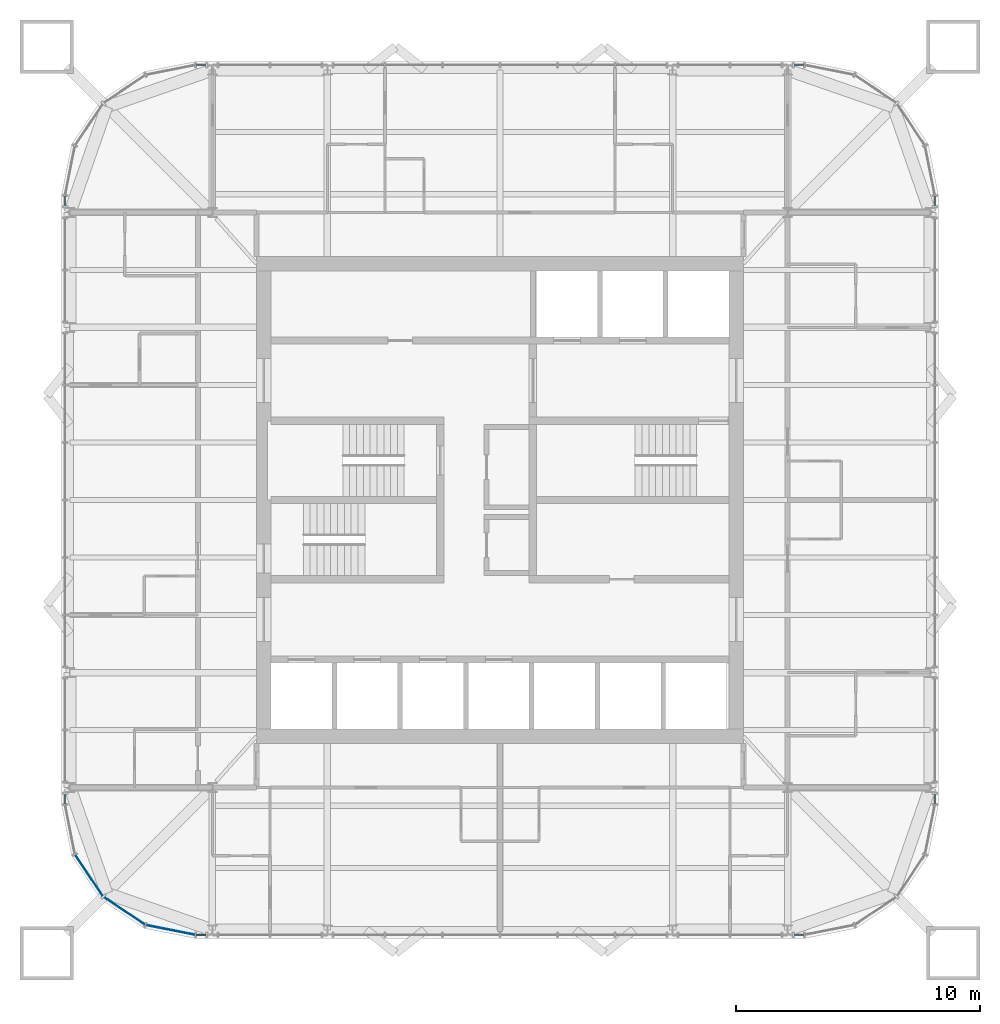
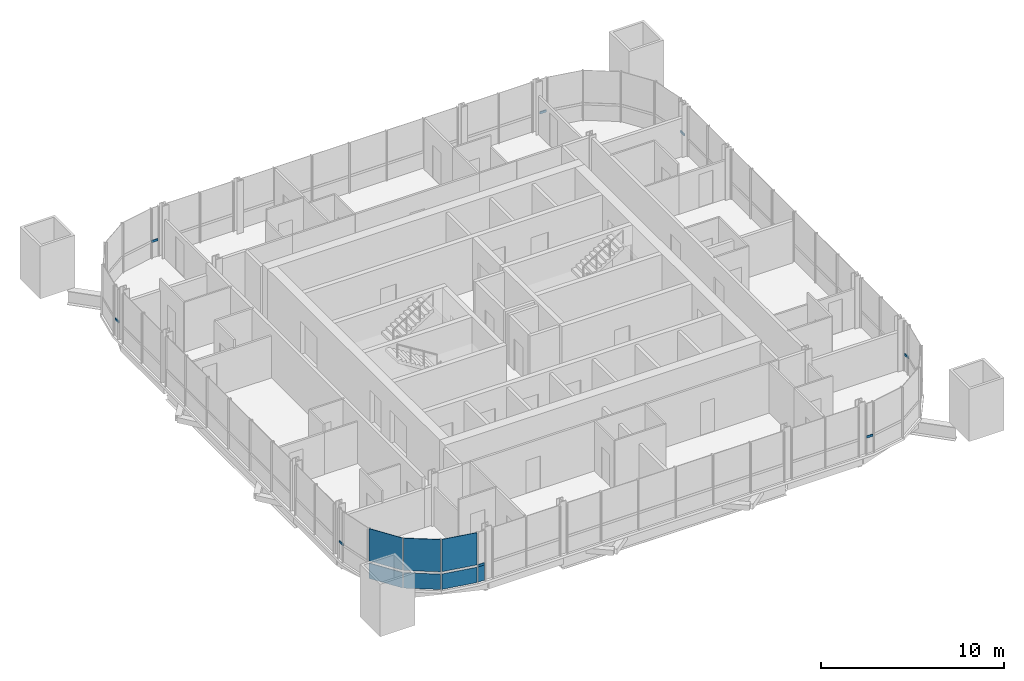
# One storey, part 7 of 17: 8 members, 7 plates, 9 elements without a shape of their own.
"""IFC4 building model written with IfcOpenShell, lengths in metres."""

from ifc_helpers import new_model, si_unit, direction, frame, origin, origin_2d, place, context, subcontext, project, spatial, rectangle, extrude, material, layer, layer_set, material_profile, profile_set, type_object, element, aggregate, save


model = new_model("IFC4")

# Units and contexts
model_context = context("Model", 3, precision=1e-05, world=origin(), true_north=direction((0.0, 1.0)))
body_context = subcontext(model_context, "Body", "Model", "MODEL_VIEW")
ifc_project = project(units=[si_unit("LENGTHUNIT", "METRE"), si_unit("AREAUNIT", "SQUARE_METRE"), si_unit("VOLUMEUNIT", "CUBIC_METRE"), si_unit("PLANEANGLEUNIT", "RADIAN"), si_unit("MASSUNIT", "GRAM", prefix="KILO")], contexts=[model_context])

# Site, building, storey
site_placement = place(None, origin())
site = spatial("IfcSite", under=ifc_project, at=site_placement, CompositionType="ELEMENT")
building_placement = place(site_placement, origin())
building = spatial("IfcBuilding", under=site, at=building_placement, Name="Turquesa Mirador Hotel Tower", CompositionType="ELEMENT")
storey_placement = place(building_placement, frame((0.0, 0.0, 244.199951171875)))
storey = spatial("IfcBuildingStorey", under=building, at=storey_placement, Name="L66", CompositionType="ELEMENT", Elevation=244.199951171875)

# Curtain wall, member
ifc_material_1 = material(Name="Aluminium extrusion", Category="aluminium")
curtain_wall_type = type_object("IfcCurtainWallType", Name="CW-4 SUITE FRITTED CURTAIN WALL", PredefinedType="USERDEFINED", material=ifc_material_1)
curtain_wall_1_placement = place(storey_placement, origin())
curtain_wall_1 = element("IfcCurtainWall", 1, at=curtain_wall_1_placement, inside=storey, type_object=curtain_wall_type, Name="CW-4 SUITE FRITTED CURTAIN WALL L66", ObjectType="CURTAIN WALL", PredefinedType="USERDEFINED")
ifc_material_2 = material(Name="Aluminium extrusion", Category="aluminium")
ifc_material_profile = material_profile(ifc_material_2, rectangle(XDim=0.06494140625, YDim=0.14990234375, at=origin_2d()), Name="TRANSOM 65X150")
ifc_profile_set = profile_set([ifc_material_profile], Name="Aluminium extrusion")
member_type = type_object("IfcMemberType", Name="CW TRANSOM 65X150", PredefinedType="USERDEFINED", material=ifc_profile_set)
member_1_placement = place(storey_placement, frame((72.85009765625, 32.532470703125, 1.10009765625), z_axis=(0.0, 1.0, 0.0), x_axis=(-1.0, 0.0, 0.0)))
member_1 = element("IfcMember", 2, at=member_1_placement, type_object=member_type, Name="Transom", ObjectType="TRANSOM", PredefinedType="USERDEFINED", context=body_context, shape_type="SweptSolid", body=[
    extrude(rectangle(XDim=0.06494140625, YDim=0.14990234375, at=origin_2d()), origin(), (0.0, 0.0, 1.0), 0.401123046875),
])
aggregate(curtain_wall_1, [member_1])

curtain_wall_2_placement = place(storey_placement, origin())
curtain_wall_2 = element("IfcCurtainWall", 3, at=curtain_wall_2_placement, inside=storey, type_object=curtain_wall_type, Name="CW-4 SUITE FRITTED CURTAIN WALL L66", ObjectType="CURTAIN WALL", PredefinedType="USERDEFINED")
member_2_placement = place(storey_placement, frame((72.85009765625, 57.06640625, 1.10009765625), z_axis=(0.0, 1.0, 0.0), x_axis=(-1.0, 0.0, 0.0)))
member_2 = element("IfcMember", 4, at=member_2_placement, type_object=member_type, Name="Transom", ObjectType="TRANSOM", PredefinedType="USERDEFINED", context=body_context, shape_type="SweptSolid", body=[
    extrude(rectangle(XDim=0.06494140625, YDim=0.14990234375, at=origin_2d()), origin(), (0.0, 0.0, 1.0), 0.401123046875),
])
aggregate(curtain_wall_2, [member_2])

curtain_wall_3_placement = place(storey_placement, origin())
curtain_wall_3 = element("IfcCurtainWall", 5, at=curtain_wall_3_placement, inside=storey, type_object=curtain_wall_type, Name="CW-4 SUITE FRITTED CURTAIN WALL L66", ObjectType="CURTAIN WALL", PredefinedType="USERDEFINED")
member_3_placement = place(storey_placement, frame((67.467529296875, 62.85009765625, 1.10009765625), z_axis=(-1.0, 0.0, 0.0), x_axis=(0.0, -1.0, 0.0)))
member_3 = element("IfcMember", 6, at=member_3_placement, type_object=member_type, Name="Transom", ObjectType="TRANSOM", PredefinedType="USERDEFINED", context=body_context, shape_type="SweptSolid", body=[
    extrude(rectangle(XDim=0.06494140625, YDim=0.14990234375, at=origin_2d()), origin(), (0.0, 0.0, 1.0), 0.401123046875),
])
aggregate(curtain_wall_3, [member_3])

curtain_wall_4_placement = place(storey_placement, origin())
curtain_wall_4 = element("IfcCurtainWall", 7, at=curtain_wall_4_placement, inside=storey, type_object=curtain_wall_type, Name="CW-4 SUITE FRITTED CURTAIN WALL L66", ObjectType="CURTAIN WALL", PredefinedType="USERDEFINED")
member_4_placement = place(storey_placement, frame((42.93359375, 62.85009765625, 1.10009765625), z_axis=(-1.0, 0.0, 0.0), x_axis=(0.0, -1.0, 0.0)))
member_4 = element("IfcMember", 8, at=member_4_placement, type_object=member_type, Name="Transom", ObjectType="TRANSOM", PredefinedType="USERDEFINED", context=body_context, shape_type="SweptSolid", body=[
    extrude(rectangle(XDim=0.06494140625, YDim=0.14990234375, at=origin_2d()), origin(), (0.0, 0.0, 1.0), 0.401123046875),
])
aggregate(curtain_wall_4, [member_4])

curtain_wall_5_placement = place(storey_placement, origin())
curtain_wall_5 = element("IfcCurtainWall", 9, at=curtain_wall_5_placement, inside=storey, type_object=curtain_wall_type, Name="CW-4 SUITE FRITTED CURTAIN WALL L66", ObjectType="CURTAIN WALL", PredefinedType="USERDEFINED")
member_5_placement = place(storey_placement, frame((37.14990234375, 57.467529296875, 1.10009765625), z_axis=(0.0, -1.0, 0.0), x_axis=(1.0, 0.0, 0.0)))
member_5 = element("IfcMember", 10, at=member_5_placement, type_object=member_type, Name="Transom", ObjectType="TRANSOM", PredefinedType="USERDEFINED", context=body_context, shape_type="SweptSolid", body=[
    extrude(rectangle(XDim=0.06494140625, YDim=0.14990234375, at=origin_2d()), origin(), (0.0, 0.0, 1.0), 0.401123046875),
])
aggregate(curtain_wall_5, [member_5])

curtain_wall_6_placement = place(storey_placement, origin())
curtain_wall_6 = element("IfcCurtainWall", 11, at=curtain_wall_6_placement, inside=storey, type_object=curtain_wall_type, Name="CW-4 SUITE FRITTED CURTAIN WALL L66", ObjectType="CURTAIN WALL", PredefinedType="USERDEFINED")
member_6_placement = place(storey_placement, frame((37.14990234375, 32.93359375, 1.10009765625), z_axis=(0.0, -1.0, 0.0), x_axis=(1.0, 0.0, 0.0)))
member_6 = element("IfcMember", 12, at=member_6_placement, type_object=member_type, Name="Transom", ObjectType="TRANSOM", PredefinedType="USERDEFINED", context=body_context, shape_type="SweptSolid", body=[
    extrude(rectangle(XDim=0.06494140625, YDim=0.14990234375, at=origin_2d()), origin(), (0.0, 0.0, 1.0), 0.401123046875),
])
aggregate(curtain_wall_6, [member_6])

curtain_wall_7_placement = place(storey_placement, origin())
curtain_wall_7 = element("IfcCurtainWall", 13, at=curtain_wall_7_placement, inside=storey, type_object=curtain_wall_type, Name="CW-4 SUITE FRITTED CURTAIN WALL L66", ObjectType="CURTAIN WALL", PredefinedType="USERDEFINED")
member_7_placement = place(storey_placement, frame((42.532470703125, 27.14990234375, 1.10009765625), z_axis=(1.0, 0.0, 0.0), x_axis=(0.0, 1.0, 0.0)))
member_7 = element("IfcMember", 14, at=member_7_placement, type_object=member_type, Name="Transom", ObjectType="TRANSOM", PredefinedType="USERDEFINED", context=body_context, shape_type="SweptSolid", body=[
    extrude(rectangle(XDim=0.06494140625, YDim=0.14990234375, at=origin_2d()), origin(), (0.0, 0.0, 1.0), 0.401123046875),
])

curtain_wall_8_placement = place(storey_placement, origin())
curtain_wall_8 = element("IfcCurtainWall", 15, at=curtain_wall_8_placement, inside=storey, type_object=curtain_wall_type, Name="CW-4 SUITE FRITTED CURTAIN WALL L66", ObjectType="CURTAIN WALL", PredefinedType="USERDEFINED")
member_8_placement = place(storey_placement, frame((67.06640625, 27.14990234375, 1.10009765625), z_axis=(1.0, 0.0, 0.0), x_axis=(0.0, 1.0, 0.0)))
member_8 = element("IfcMember", 16, at=member_8_placement, type_object=member_type, Name="Transom", ObjectType="TRANSOM", PredefinedType="USERDEFINED", context=body_context, shape_type="SweptSolid", body=[
    extrude(rectangle(XDim=0.06494140625, YDim=0.14990234375, at=origin_2d()), origin(), (0.0, 0.0, 1.0), 0.401123046875),
])
aggregate(curtain_wall_8, [member_8])

# Curtain wall, plates
curtain_wall_9_placement = place(storey_placement, origin())
curtain_wall_9 = element("IfcCurtainWall", 17, at=curtain_wall_9_placement, inside=storey, type_object=curtain_wall_type, Name="CW-4 SUITE FRITTED CURTAIN WALL L66", ObjectType="CURTAIN WALL", PredefinedType="USERDEFINED")
ifc_material_3 = material(Name="Ceramic-printed spandrel glass on an insulated back pan", Category="glass")
ifc_layer_1 = layer(ifc_material_3, 0.050048828125)
ifc_layer_set_1 = layer_set([ifc_layer_1], Name="CW PANEL SPANDREL CERAMIC")
plate_type_1 = type_object("IfcPlateType", Name="CW PANEL SPANDREL CERAMIC", PredefinedType="CURTAIN_PANEL", material=ifc_layer_set_1)
plate_1_placement = place(storey_placement, frame((38.13720703125, 29.584716796875, 0.0), z_axis=(0.0, 0.0, 1.0), x_axis=(0.555570141754, -0.831469673284, 0.0)))
plate_1 = element("IfcPlate", 18, at=plate_1_placement, type_object=plate_type_1, Name="Panel", PredefinedType="CURTAIN_PANEL", context=body_context, shape_type="SweptSolid", body=[
    extrude(rectangle(XDim=2.0224609375, YDim=0.050048828125, at=origin_2d()), origin(), (0.0, 0.0, 1.0), 1.02490234375),
])
plate_2_placement = place(storey_placement, frame((39.584716796875, 28.13720703125, 0.0), z_axis=(0.0, 0.0, 1.0), x_axis=(0.831469673284, -0.555570141754, 0.0)))
plate_2 = element("IfcPlate", 19, at=plate_2_placement, type_object=plate_type_1, Name="Panel", PredefinedType="CURTAIN_PANEL", context=body_context, shape_type="SweptSolid", body=[
    extrude(rectangle(XDim=2.0224609375, YDim=0.050048828125, at=origin_2d()), origin(), (0.0, 0.0, 1.0), 1.02490234375),
])
plate_3_placement = place(storey_placement, frame((41.476318359375, 27.353515625, 0.0), z_axis=(0.0, 0.0, 1.0), x_axis=(0.980785228048, -0.195090585221, 0.0)))
plate_3 = element("IfcPlate", 20, at=plate_3_placement, type_object=plate_type_1, Name="Panel", PredefinedType="CURTAIN_PANEL", context=body_context, shape_type="SweptSolid", body=[
    extrude(rectangle(XDim=2.0224609375, YDim=0.050048828125, at=origin_2d()), origin(), (0.0, 0.0, 1.0), 1.02490234375),
])

# Plate
plate_4_placement = place(storey_placement, frame((42.733154296875, 27.14990234375, 0.0), z_axis=(0.0, 0.0, 1.0), x_axis=(1.0, 0.0, 0.0)))
plate_4 = element("IfcPlate", 21, at=plate_4_placement, type_object=plate_type_1, Name="Panel", PredefinedType="CURTAIN_PANEL", context=body_context, shape_type="SweptSolid", body=[
    extrude(rectangle(XDim=0.401123046875, YDim=0.050048828125, at=origin_2d()), origin(), (0.0, 0.0, 1.0), 1.02490234375),
])

aggregate(curtain_wall_7, [member_7, plate_4])

ifc_material_4 = material(Name="Ceramic-fritted laminated glass", Category="glass")
ifc_layer_2 = layer(ifc_material_4, 0.031982421875)
ifc_layer_set_2 = layer_set([ifc_layer_2], Name="CW PANEL VISION FRITTED")
plate_type_2 = type_object("IfcPlateType", Name="CW PANEL VISION FRITTED", PredefinedType="CURTAIN_PANEL", material=ifc_layer_set_2)
plate_5_placement = place(storey_placement, frame((38.13720703125, 29.584716796875, 1.1748046875), z_axis=(0.0, 0.0, 1.0), x_axis=(0.555570141754, -0.831469673284, 0.0)))
plate_5 = element("IfcPlate", 22, at=plate_5_placement, type_object=plate_type_2, Name="Panel", PredefinedType="CURTAIN_PANEL", context=body_context, shape_type="SweptSolid", body=[
    extrude(rectangle(XDim=2.0224609375, YDim=0.031982421875, at=origin_2d()), origin(), (0.0, 0.0, 1.0), 2.155029296875),
])

plate_6_placement = place(storey_placement, frame((39.584716796875, 28.13720703125, 1.1748046875), z_axis=(0.0, 0.0, 1.0), x_axis=(0.831469673284, -0.555570141754, 0.0)))
plate_6 = element("IfcPlate", 23, at=plate_6_placement, type_object=plate_type_2, Name="Panel", PredefinedType="CURTAIN_PANEL", context=body_context, shape_type="SweptSolid", body=[
    extrude(rectangle(XDim=2.0224609375, YDim=0.031982421875, at=origin_2d()), origin(), (0.0, 0.0, 1.0), 2.155029296875),
])

plate_7_placement = place(storey_placement, frame((41.476318359375, 27.353515625, 1.1748046875), z_axis=(0.0, 0.0, 1.0), x_axis=(0.980785228048, -0.195090585221, 0.0)))
plate_7 = element("IfcPlate", 24, at=plate_7_placement, type_object=plate_type_2, Name="Panel", PredefinedType="CURTAIN_PANEL", context=body_context, shape_type="SweptSolid", body=[
    extrude(rectangle(XDim=2.0224609375, YDim=0.031982421875, at=origin_2d()), origin(), (0.0, 0.0, 1.0), 2.155029296875),
])

aggregate(curtain_wall_9, [plate_1, plate_5, plate_2, plate_6, plate_3, plate_7])

save(model, "model.ifc")
